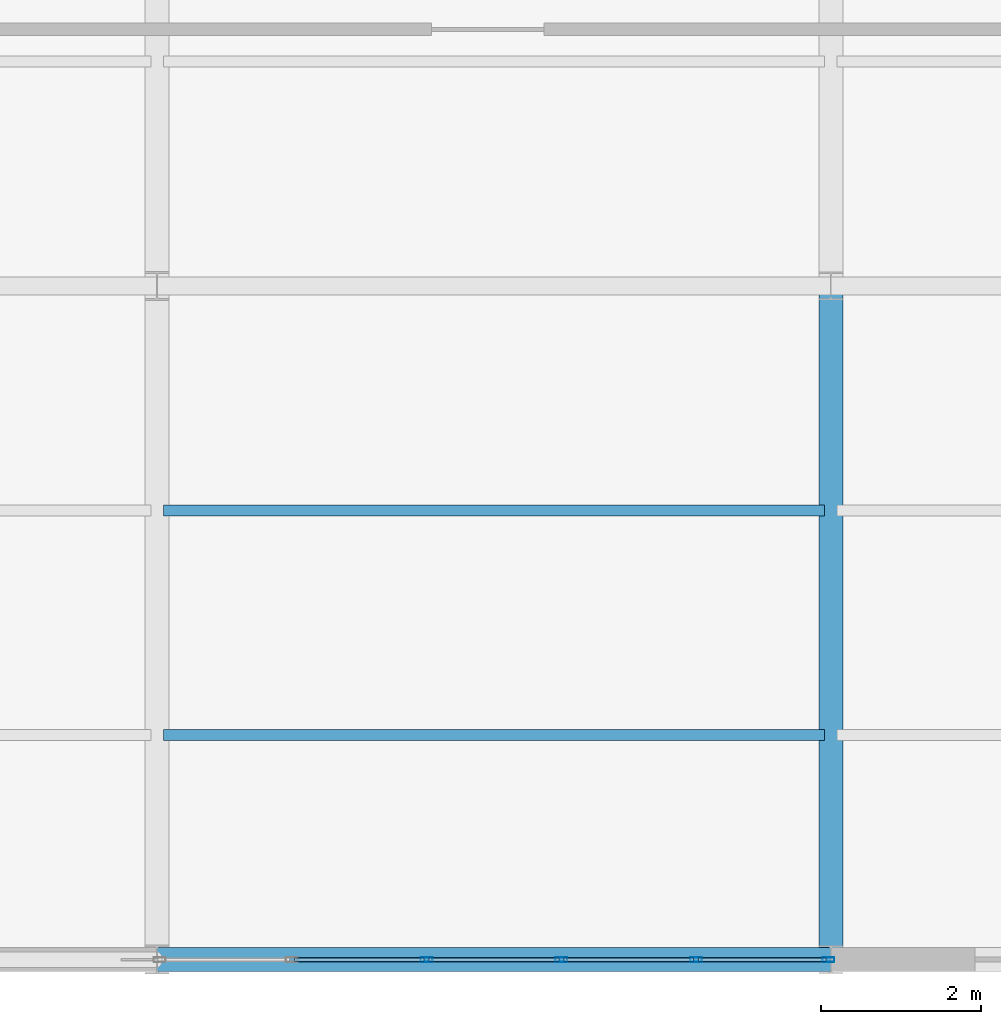
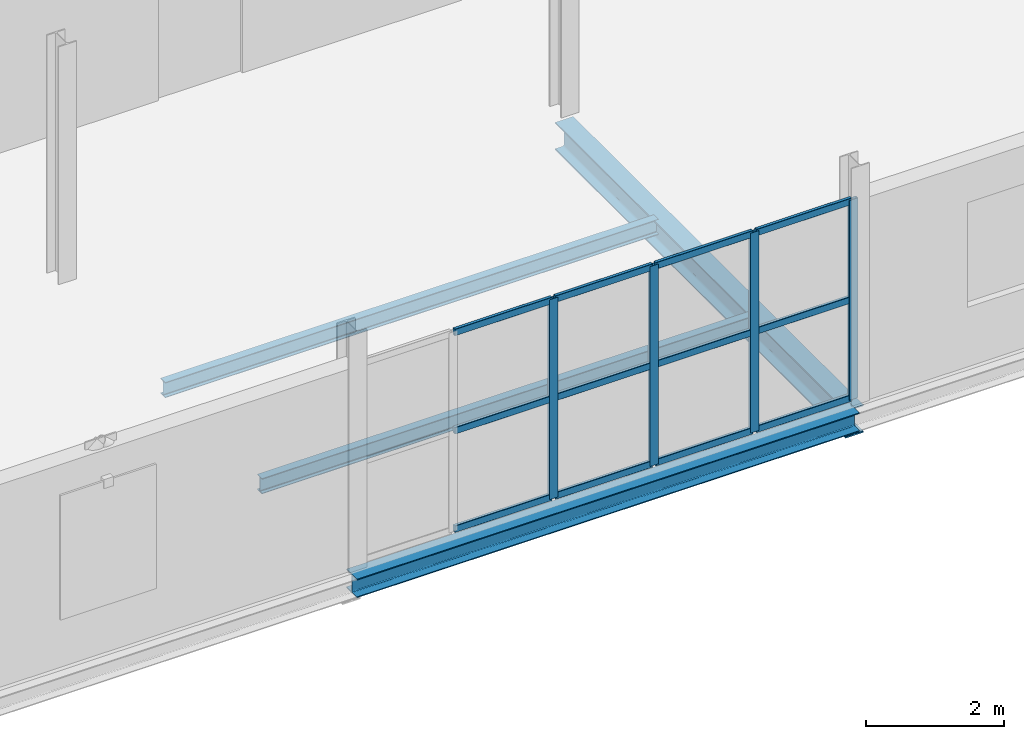
# One storey, part 97 of 163: 16 members, 4 beams, 1 element without a shape of its own.
"""IFC4 building model written with IfcOpenShell, lengths in metres."""

from ifc_helpers import new_model, si_unit, direction, frame, origin, origin_2d, place, context, subcontext, project, spatial, hollow_rectangle, i_section, extrude, material, layer, layer_set, material_profile, profile_set, type_object, element, aggregate, save


model = new_model("IFC4")

# Units and contexts
model_context = context("Model", 3, precision=1e-05, world=origin(), true_north=direction((0.0, 1.0)))
body_context = subcontext(model_context, "Body", "Model", "MODEL_VIEW")
ifc_project = project(units=[si_unit("LENGTHUNIT", "METRE"), si_unit("AREAUNIT", "SQUARE_METRE"), si_unit("VOLUMEUNIT", "CUBIC_METRE"), si_unit("PLANEANGLEUNIT", "RADIAN"), si_unit("MASSUNIT", "GRAM", prefix="KILO")], contexts=[model_context])

# Site, building, storey
site_placement = place(None, origin())
site = spatial("IfcSite", under=ifc_project, at=site_placement, CompositionType="ELEMENT")
building_placement = place(site_placement, origin())
building = spatial("IfcBuilding", under=site, at=building_placement, Name="Qalvenar Corner Mobility Hub", CompositionType="ELEMENT")
storey_placement = place(building_placement, frame((0.0, 0.0, 4.800048828125)))
storey = spatial("IfcBuildingStorey", under=building, at=storey_placement, Name="L01", CompositionType="ELEMENT", Elevation=4.800048828125)

# Beams
ifc_material_1 = material(Name="Steel S355", Category="steel")
ifc_material_profile_1 = material_profile(ifc_material_1, i_section(OverallWidth=0.300048828125, OverallDepth=0.489990234375, WebThickness=0.011962890625, FlangeThickness=0.02294921875, FilletRadius=0.027099609375, at=origin_2d()), Name="HEA500")
ifc_profile_set_1 = profile_set([ifc_material_profile_1], Name="Steel S355")
beam_type_1 = type_object("IfcBeamType", Name="BM-HEA500", PredefinedType="BEAM", material=ifc_profile_set_1)
beam_1_placement = place(storey_placement, frame((159.60009765625, 0.0, -0.425048828125), z_axis=(0.0, 1.0, 0.0), x_axis=(-1.0, 0.0, 0.0)))
element("IfcBeam", 1, at=beam_1_placement, inside=storey, type_object=beam_type_1, Name="Primary Steel Girder GY-1062", PredefinedType="BEAM", context=body_context, shape_type="SweptSolid", body=[
    extrude(i_section(OverallWidth=0.300048828125, OverallDepth=0.489990234375, WebThickness=0.011962890625, FlangeThickness=0.02294921875, FilletRadius=0.027099609375, at=origin_2d()), origin(), (0.0, 0.0, 1.0), 8.39990234375),
])
ifc_material_profile_2 = material_profile(ifc_material_1, i_section(OverallWidth=0.135009765625, OverallDepth=0.27001953125, WebThickness=0.006591796875, FlangeThickness=0.01025390625, FilletRadius=0.014892578125, at=origin_2d()), Name="IPE270")
ifc_profile_set_2 = profile_set([ifc_material_profile_2], Name="Steel S355")
beam_type_2 = type_object("IfcBeamType", Name="BM-JST270", PredefinedType="JOIST", material=ifc_profile_set_2)
for number, where, z_axis, x_axis, name in (
    (2, (151.278076171875, 2.800048828125, -0.31494140625), (1.0, 0.0, 0.0), (0.0, 1.0, 0.0), "Composite Floor Joist J-1132"),
    (3, (151.278076171875, 5.60009765625, -0.31494140625), (1.0, 0.0, 0.0), (0.0, 1.0, 0.0), "Composite Floor Joist J-1133"),
):
    element("IfcBeam", number, at=place(storey_placement, frame(where, z_axis=z_axis, x_axis=x_axis)), inside=storey, type_object=beam_type_2, Name=name, PredefinedType="JOIST", context=body_context, shape_type="SweptSolid", body=[
        extrude(i_section(OverallWidth=0.135009765625, OverallDepth=0.27001953125, WebThickness=0.006591796875, FlangeThickness=0.01025390625, FilletRadius=0.014892578125, at=origin_2d()), origin(), (0.0, 0.0, 1.0), 8.243896484375),
    ])
ifc_material_profile_3 = material_profile(ifc_material_1, i_section(OverallWidth=0.300048828125, OverallDepth=0.330078125, WebThickness=0.009521484375, FlangeThickness=0.0166015625, FilletRadius=0.027099609375, at=origin_2d()), Name="HEA340")
ifc_profile_set_3 = profile_set([ifc_material_profile_3], Name="Steel S355")
beam_type_3 = type_object("IfcBeamType", Name="BM-SPN340", PredefinedType="SPANDREL", material=ifc_profile_set_3)
beam_2_placement = place(storey_placement, frame((151.199951171875, 0.0, -0.344970703125), z_axis=(1.0, 0.0, 0.0), x_axis=(0.0, 1.0, 0.0)))
element("IfcBeam", 4, at=beam_2_placement, inside=storey, type_object=beam_type_3, Name="Primary Steel Girder GX-0983", PredefinedType="SPANDREL", context=body_context, shape_type="SweptSolid", body=[
    extrude(i_section(OverallWidth=0.300048828125, OverallDepth=0.330078125, WebThickness=0.009521484375, FlangeThickness=0.0166015625, FilletRadius=0.027099609375, at=origin_2d()), origin(), (0.0, 0.0, 1.0), 8.400146484375),
])

# Curtain wall, members
ifc_material_2 = material(Name="Anodised Aluminium and Low-E Glazing", Category="aluminium")
ifc_layer = layer(ifc_material_2, 0.14990234375)
ifc_layer_set = layer_set([ifc_layer], Name="Anodised Aluminium and Low-E Glazing")
curtain_wall_type = type_object("IfcCurtainWallType", Name="CW-WKS-84X44", PredefinedType="NOTDEFINED", material=ifc_layer_set)
curtain_wall_placement = place(storey_placement, origin())
curtain_wall = element("IfcCurtainWall", 5, at=curtain_wall_placement, inside=storey, type_object=curtain_wall_type, Name="Glazed Curtain Wall CW-V6-L01-S5", PredefinedType="NOTDEFINED")
ifc_material_3 = material(Name="Anodised Aluminium 6063-T6", Category="aluminium")
ifc_material_profile_4 = material_profile(ifc_material_3, hollow_rectangle(XDim=0.06005859375, YDim=0.14990234375, WallThickness=0.00390625, InnerFilletRadius=0.00390625, OuterFilletRadius=0.008056640625, at=origin_2d()), Name="RHS150x60x4")
ifc_profile_set_4 = profile_set([ifc_material_profile_4], Name="Anodised Aluminium 6063-T6")
member_type_1 = type_object("IfcMemberType", Name="CW-MUL150", PredefinedType="MULLION", material=ifc_profile_set_4)
member_1_placement = place(storey_placement, frame((154.56005859375, 0.0, 0.0), z_axis=(0.0, 0.0, 1.0), x_axis=(0.0, 1.0, 0.0)))
member_1 = element("IfcMember", 6, at=member_1_placement, type_object=member_type_1, Name="CW-09 mullion 3", PredefinedType="MULLION", context=body_context, shape_type="SweptSolid", body=[
    extrude(hollow_rectangle(XDim=0.06005859375, YDim=0.14990234375, WallThickness=0.00390625, InnerFilletRadius=0.00390625, OuterFilletRadius=0.008056640625, at=origin_2d()), origin(), (0.0, 0.0, 1.0), 3.530029296875),
])
member_2_placement = place(storey_placement, frame((156.239990234375, 0.0, 0.0), z_axis=(0.0, 0.0, 1.0), x_axis=(0.0, 1.0, 0.0)))
member_2 = element("IfcMember", 7, at=member_2_placement, type_object=member_type_1, Name="CW-09 mullion 4", PredefinedType="MULLION", context=body_context, shape_type="SweptSolid", body=[
    extrude(hollow_rectangle(XDim=0.06005859375, YDim=0.14990234375, WallThickness=0.00390625, InnerFilletRadius=0.00390625, OuterFilletRadius=0.008056640625, at=origin_2d()), origin(), (0.0, 0.0, 1.0), 3.530029296875),
])
member_3_placement = place(storey_placement, frame((157.919921875, 0.0, 0.0), z_axis=(0.0, 0.0, 1.0), x_axis=(0.0, 1.0, 0.0)))
member_3 = element("IfcMember", 8, at=member_3_placement, type_object=member_type_1, Name="CW-09 mullion 5", PredefinedType="MULLION", context=body_context, shape_type="SweptSolid", body=[
    extrude(hollow_rectangle(XDim=0.06005859375, YDim=0.14990234375, WallThickness=0.00390625, InnerFilletRadius=0.00390625, OuterFilletRadius=0.008056640625, at=origin_2d()), origin(), (0.0, 0.0, 1.0), 3.530029296875),
])
member_4_placement = place(storey_placement, frame((159.570068359375, 0.0, 0.0), z_axis=(0.0, 0.0, 1.0), x_axis=(0.0, 1.0, 0.0)))
member_4 = element("IfcMember", 9, at=member_4_placement, type_object=member_type_1, Name="CW-09 mullion 6", PredefinedType="MULLION", context=body_context, shape_type="SweptSolid", body=[
    extrude(hollow_rectangle(XDim=0.06005859375, YDim=0.14990234375, WallThickness=0.00390625, InnerFilletRadius=0.00390625, OuterFilletRadius=0.008056640625, at=origin_2d()), origin(), (0.0, 0.0, 1.0), 3.530029296875),
])
ifc_material_profile_5 = material_profile(ifc_material_3, hollow_rectangle(XDim=0.054931640625, YDim=0.1201171875, WallThickness=0.00341796875, InnerFilletRadius=0.00341796875, OuterFilletRadius=0.007080078125, at=origin_2d()), Name="RHS120x55x3.5")
ifc_profile_set_5 = profile_set([ifc_material_profile_5], Name="Anodised Aluminium 6063-T6")
member_type_2 = type_object("IfcMemberType", Name="CW-TRN120", PredefinedType="USERDEFINED", material=ifc_profile_set_5)
member_5_placement = place(storey_placement, frame((152.909912109375, 0.0, 0.02734375), z_axis=(1.0, 0.0, 0.0), x_axis=(0.0, 1.0, 0.0)))
member_5 = element("IfcMember", 10, at=member_5_placement, type_object=member_type_2, Name="CW-09 transom 2.1", ObjectType="TRANSOM", PredefinedType="USERDEFINED", context=body_context, shape_type="SweptSolid", body=[
    extrude(hollow_rectangle(XDim=0.054931640625, YDim=0.1201171875, WallThickness=0.00341796875, InnerFilletRadius=0.00341796875, OuterFilletRadius=0.007080078125, at=origin_2d()), origin(), (0.0, 0.0, 1.0), 1.6201171875),
])
member_6_placement = place(storey_placement, frame((152.909912109375, 0.0, 1.764892578125), z_axis=(1.0, 0.0, 0.0), x_axis=(0.0, 1.0, 0.0)))
member_6 = element("IfcMember", 11, at=member_6_placement, type_object=member_type_2, Name="CW-09 transom 2.2", ObjectType="TRANSOM", PredefinedType="USERDEFINED", context=body_context, shape_type="SweptSolid", body=[
    extrude(hollow_rectangle(XDim=0.054931640625, YDim=0.1201171875, WallThickness=0.00341796875, InnerFilletRadius=0.00341796875, OuterFilletRadius=0.007080078125, at=origin_2d()), origin(), (0.0, 0.0, 1.0), 1.6201171875),
])
member_7_placement = place(storey_placement, frame((152.909912109375, 0.0, 3.50244140625), z_axis=(1.0, 0.0, 0.0), x_axis=(0.0, 1.0, 0.0)))
member_7 = element("IfcMember", 12, at=member_7_placement, type_object=member_type_2, Name="CW-09 transom 2.3", ObjectType="TRANSOM", PredefinedType="USERDEFINED", context=body_context, shape_type="SweptSolid", body=[
    extrude(hollow_rectangle(XDim=0.054931640625, YDim=0.1201171875, WallThickness=0.00341796875, InnerFilletRadius=0.00341796875, OuterFilletRadius=0.007080078125, at=origin_2d()), origin(), (0.0, 0.0, 1.0), 1.6201171875),
])
member_8_placement = place(storey_placement, frame((154.590087890625, 0.0, 0.02734375), z_axis=(1.0, 0.0, 0.0), x_axis=(0.0, 1.0, 0.0)))
member_8 = element("IfcMember", 13, at=member_8_placement, type_object=member_type_2, Name="CW-09 transom 3.1", ObjectType="TRANSOM", PredefinedType="USERDEFINED", context=body_context, shape_type="SweptSolid", body=[
    extrude(hollow_rectangle(XDim=0.054931640625, YDim=0.1201171875, WallThickness=0.00341796875, InnerFilletRadius=0.00341796875, OuterFilletRadius=0.007080078125, at=origin_2d()), origin(), (0.0, 0.0, 1.0), 1.619873046875),
])
member_9_placement = place(storey_placement, frame((154.590087890625, 0.0, 1.764892578125), z_axis=(1.0, 0.0, 0.0), x_axis=(0.0, 1.0, 0.0)))
member_9 = element("IfcMember", 14, at=member_9_placement, type_object=member_type_2, Name="CW-09 transom 3.2", ObjectType="TRANSOM", PredefinedType="USERDEFINED", context=body_context, shape_type="SweptSolid", body=[
    extrude(hollow_rectangle(XDim=0.054931640625, YDim=0.1201171875, WallThickness=0.00341796875, InnerFilletRadius=0.00341796875, OuterFilletRadius=0.007080078125, at=origin_2d()), origin(), (0.0, 0.0, 1.0), 1.619873046875),
])
member_10_placement = place(storey_placement, frame((154.590087890625, 0.0, 3.50244140625), z_axis=(1.0, 0.0, 0.0), x_axis=(0.0, 1.0, 0.0)))
member_10 = element("IfcMember", 15, at=member_10_placement, type_object=member_type_2, Name="CW-09 transom 3.3", ObjectType="TRANSOM", PredefinedType="USERDEFINED", context=body_context, shape_type="SweptSolid", body=[
    extrude(hollow_rectangle(XDim=0.054931640625, YDim=0.1201171875, WallThickness=0.00341796875, InnerFilletRadius=0.00341796875, OuterFilletRadius=0.007080078125, at=origin_2d()), origin(), (0.0, 0.0, 1.0), 1.619873046875),
])
member_11_placement = place(storey_placement, frame((156.27001953125, 0.0, 0.02734375), z_axis=(1.0, 0.0, 0.0), x_axis=(0.0, 1.0, 0.0)))
member_11 = element("IfcMember", 16, at=member_11_placement, type_object=member_type_2, Name="CW-09 transom 4.1", ObjectType="TRANSOM", PredefinedType="USERDEFINED", context=body_context, shape_type="SweptSolid", body=[
    extrude(hollow_rectangle(XDim=0.054931640625, YDim=0.1201171875, WallThickness=0.00341796875, InnerFilletRadius=0.00341796875, OuterFilletRadius=0.007080078125, at=origin_2d()), origin(), (0.0, 0.0, 1.0), 1.619873046875),
])
member_12_placement = place(storey_placement, frame((156.27001953125, 0.0, 1.764892578125), z_axis=(1.0, 0.0, 0.0), x_axis=(0.0, 1.0, 0.0)))
member_12 = element("IfcMember", 17, at=member_12_placement, type_object=member_type_2, Name="CW-09 transom 4.2", ObjectType="TRANSOM", PredefinedType="USERDEFINED", context=body_context, shape_type="SweptSolid", body=[
    extrude(hollow_rectangle(XDim=0.054931640625, YDim=0.1201171875, WallThickness=0.00341796875, InnerFilletRadius=0.00341796875, OuterFilletRadius=0.007080078125, at=origin_2d()), origin(), (0.0, 0.0, 1.0), 1.619873046875),
])
member_13_placement = place(storey_placement, frame((156.27001953125, 0.0, 3.50244140625), z_axis=(1.0, 0.0, 0.0), x_axis=(0.0, 1.0, 0.0)))
member_13 = element("IfcMember", 18, at=member_13_placement, type_object=member_type_2, Name="CW-09 transom 4.3", ObjectType="TRANSOM", PredefinedType="USERDEFINED", context=body_context, shape_type="SweptSolid", body=[
    extrude(hollow_rectangle(XDim=0.054931640625, YDim=0.1201171875, WallThickness=0.00341796875, InnerFilletRadius=0.00341796875, OuterFilletRadius=0.007080078125, at=origin_2d()), origin(), (0.0, 0.0, 1.0), 1.619873046875),
])
member_14_placement = place(storey_placement, frame((157.949951171875, 0.0, 0.02734375), z_axis=(1.0, 0.0, 0.0), x_axis=(0.0, 1.0, 0.0)))
member_14 = element("IfcMember", 19, at=member_14_placement, type_object=member_type_2, Name="CW-09 transom 5.1", ObjectType="TRANSOM", PredefinedType="USERDEFINED", context=body_context, shape_type="SweptSolid", body=[
    extrude(hollow_rectangle(XDim=0.054931640625, YDim=0.1201171875, WallThickness=0.00341796875, InnerFilletRadius=0.00341796875, OuterFilletRadius=0.007080078125, at=origin_2d()), origin(), (0.0, 0.0, 1.0), 1.590087890625),
])
member_15_placement = place(storey_placement, frame((157.949951171875, 0.0, 1.764892578125), z_axis=(1.0, 0.0, 0.0), x_axis=(0.0, 1.0, 0.0)))
member_15 = element("IfcMember", 20, at=member_15_placement, type_object=member_type_2, Name="CW-09 transom 5.2", ObjectType="TRANSOM", PredefinedType="USERDEFINED", context=body_context, shape_type="SweptSolid", body=[
    extrude(hollow_rectangle(XDim=0.054931640625, YDim=0.1201171875, WallThickness=0.00341796875, InnerFilletRadius=0.00341796875, OuterFilletRadius=0.007080078125, at=origin_2d()), origin(), (0.0, 0.0, 1.0), 1.590087890625),
])
member_16_placement = place(storey_placement, frame((157.949951171875, 0.0, 3.50244140625), z_axis=(1.0, 0.0, 0.0), x_axis=(0.0, 1.0, 0.0)))
member_16 = element("IfcMember", 21, at=member_16_placement, type_object=member_type_2, Name="CW-09 transom 5.3", ObjectType="TRANSOM", PredefinedType="USERDEFINED", context=body_context, shape_type="SweptSolid", body=[
    extrude(hollow_rectangle(XDim=0.054931640625, YDim=0.1201171875, WallThickness=0.00341796875, InnerFilletRadius=0.00341796875, OuterFilletRadius=0.007080078125, at=origin_2d()), origin(), (0.0, 0.0, 1.0), 1.590087890625),
])
aggregate(curtain_wall, [member_1, member_2, member_3, member_4, member_5, member_6, member_7, member_8, member_9, member_10, member_11, member_12, member_13, member_14, member_15, member_16])

save(model, "model.ifc")
